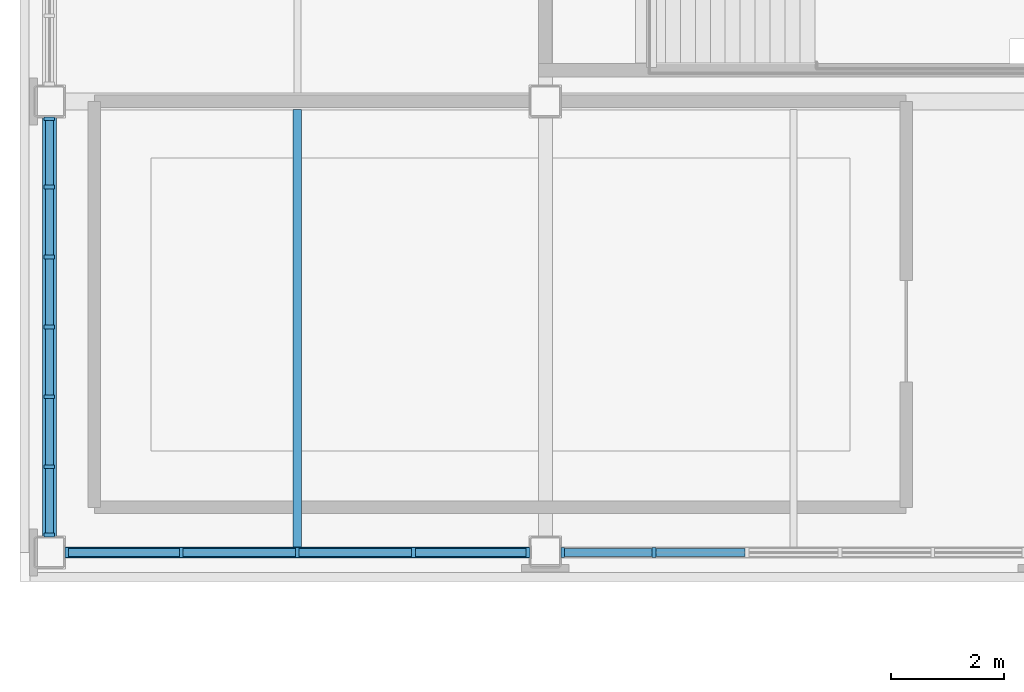
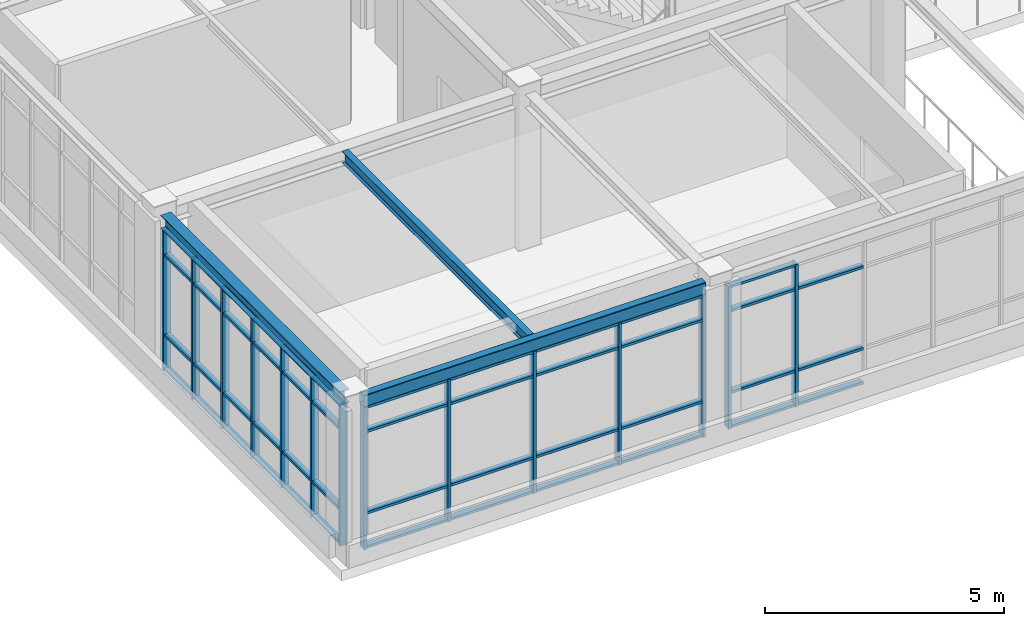
# One storey, part 13 of 88: 61 members, 3 beams, 3 elements without a shape of their own.
"""IFC4 building model written with IfcOpenShell, lengths in metres."""

from ifc_helpers import new_model, si_unit, direction, frame, origin, origin_2d, place, context, subcontext, project, spatial, rectangle, hollow_rectangle, i_section, extrude, material, material_profile, profile_set, type_object, element, aggregate, save


model = new_model("IFC4")

# Units and contexts
model_context = context("Model", 3, precision=1e-05, world=origin(), true_north=direction((0.0, 1.0)))
body_context = subcontext(model_context, "Body", "Model", "MODEL_VIEW")
ifc_project = project(units=[si_unit("LENGTHUNIT", "METRE"), si_unit("AREAUNIT", "SQUARE_METRE"), si_unit("VOLUMEUNIT", "CUBIC_METRE"), si_unit("PLANEANGLEUNIT", "RADIAN"), si_unit("MASSUNIT", "GRAM", prefix="KILO")], contexts=[model_context])

# Site, building, storey
site_placement = place(None, origin())
site = spatial("IfcSite", under=ifc_project, at=site_placement, CompositionType="ELEMENT")
building_placement = place(site_placement, origin())
building = spatial("IfcBuilding", under=site, at=building_placement, Name="Zhaolan Boulevard Law Courts", CompositionType="ELEMENT")
storey_placement = place(building_placement, frame((0.0, 0.0, 16.199951171875)))
storey = spatial("IfcBuildingStorey", under=building, at=storey_placement, Name="L03", CompositionType="ELEMENT", Elevation=16.199951171875)

# Curtain wall, members
ifc_material_1 = material(Name="Thermally broken aluminium and low-E glazing", Category="aluminium")
curtain_wall_type_1 = type_object("IfcCurtainWallType", Name="CURTAIN WALL M24", PredefinedType="USERDEFINED", material=ifc_material_1)
curtain_wall_1_placement = place(storey_placement, origin())
curtain_wall_1 = element("IfcCurtainWall", 1, at=curtain_wall_1_placement, inside=storey, type_object=curtain_wall_type_1, Name="Curtain Wall CW-L03-168", ObjectType="CURTAIN WALL", PredefinedType="USERDEFINED")
ifc_material_2 = material(Name="Fluorocarbon-coated aluminium 6063-T6", Category="aluminium")
ifc_material_profile_1 = material_profile(ifc_material_2, rectangle(XDim=0.179931640625, YDim=0.06494140625, at=origin_2d()), Name="AL65x180")
ifc_profile_set_1 = profile_set([ifc_material_profile_1], Name="Fluorocarbon-coated aluminium 6063-T6")
member_type_1 = type_object("IfcMemberType", Name="CWMULLION 65X180", PredefinedType="MULLION", material=ifc_profile_set_1)
member_1_placement = place(storey_placement, frame((0.3095703125, 30.0, 0.0), z_axis=(0.0, 0.0, 1.0), x_axis=(0.0, 1.0, 0.0)))
member_1 = element("IfcMember", 2, at=member_1_placement, type_object=member_type_1, Name="CW-L03-168 mullion 1", PredefinedType="MULLION", context=body_context, shape_type="SweptSolid", body=[
    extrude(rectangle(XDim=0.179931640625, YDim=0.06494140625, at=origin_2d()), origin(), (0.0, 0.0, 1.0), 3.633056640625),
])
member_2_placement = place(storey_placement, frame((2.33837890625, 30.0, 0.0), z_axis=(0.0, 0.0, 1.0), x_axis=(0.0, 1.0, 0.0)))
member_2 = element("IfcMember", 3, at=member_2_placement, type_object=member_type_1, Name="CW-L03-168 mullion 2", PredefinedType="MULLION", context=body_context, shape_type="SweptSolid", body=[
    extrude(rectangle(XDim=0.179931640625, YDim=0.06494140625, at=origin_2d()), origin(), (0.0, 0.0, 1.0), 3.633056640625),
])
member_3_placement = place(storey_placement, frame((4.39990234375, 30.0, 0.0), z_axis=(0.0, 0.0, 1.0), x_axis=(0.0, 1.0, 0.0)))
member_3 = element("IfcMember", 4, at=member_3_placement, type_object=member_type_1, Name="CW-L03-168 mullion 3", PredefinedType="MULLION", context=body_context, shape_type="SweptSolid", body=[
    extrude(rectangle(XDim=0.179931640625, YDim=0.06494140625, at=origin_2d()), origin(), (0.0, 0.0, 1.0), 3.633056640625),
])
member_4_placement = place(storey_placement, frame((6.46142578125, 30.0, 0.0), z_axis=(0.0, 0.0, 1.0), x_axis=(0.0, 1.0, 0.0)))
member_4 = element("IfcMember", 5, at=member_4_placement, type_object=member_type_1, Name="CW-L03-168 mullion 4", PredefinedType="MULLION", context=body_context, shape_type="SweptSolid", body=[
    extrude(rectangle(XDim=0.179931640625, YDim=0.06494140625, at=origin_2d()), origin(), (0.0, 0.0, 1.0), 3.633056640625),
])
member_5_placement = place(storey_placement, frame((8.490478515625, 30.0, 0.0), z_axis=(0.0, 0.0, 1.0), x_axis=(0.0, 1.0, 0.0)))
member_5 = element("IfcMember", 6, at=member_5_placement, type_object=member_type_1, Name="CW-L03-168 mullion 5", PredefinedType="MULLION", context=body_context, shape_type="SweptSolid", body=[
    extrude(rectangle(XDim=0.179931640625, YDim=0.06494140625, at=origin_2d()), origin(), (0.0, 0.0, 1.0), 3.633056640625),
])

ifc_material_3 = material(Name="Thermally broken aluminium and low-E glazing", Category="aluminium")
curtain_wall_type_2 = type_object("IfcCurtainWallType", Name="CURTAIN WALL M1", PredefinedType="USERDEFINED", material=ifc_material_3)
curtain_wall_2_placement = place(storey_placement, origin())
curtain_wall_2 = element("IfcCurtainWall", 7, at=curtain_wall_2_placement, inside=storey, type_object=curtain_wall_type_2, Name="Curtain Wall CW-L03-169", ObjectType="CURTAIN WALL", PredefinedType="USERDEFINED")
member_6_placement = place(storey_placement, frame((9.109619140625, 30.0, 0.0), z_axis=(0.0, 0.0, 1.0), x_axis=(0.0, 1.0, 0.0)))
member_6 = element("IfcMember", 8, at=member_6_placement, type_object=member_type_1, Name="CW-L03-169 mullion 1", PredefinedType="MULLION", context=body_context, shape_type="SweptSolid", body=[
    extrude(rectangle(XDim=0.179931640625, YDim=0.06494140625, at=origin_2d()), origin(), (0.0, 0.0, 1.0), 3.633056640625),
])
member_7_placement = place(storey_placement, frame((10.726318359375, 30.0, 0.0), z_axis=(0.0, 0.0, 1.0), x_axis=(0.0, 1.0, 0.0)))
member_7 = element("IfcMember", 9, at=member_7_placement, type_object=member_type_1, Name="CW-L03-169 mullion 2", PredefinedType="MULLION", context=body_context, shape_type="SweptSolid", body=[
    extrude(rectangle(XDim=0.179931640625, YDim=0.06494140625, at=origin_2d()), origin(), (0.0, 0.0, 1.0), 3.633056640625),
])

ifc_material_4 = material(Name="Thermally broken aluminium and low-E glazing", Category="aluminium")
curtain_wall_type_3 = type_object("IfcCurtainWallType", Name="CURTAIN WALL M5", PredefinedType="USERDEFINED", material=ifc_material_4)
curtain_wall_3_placement = place(storey_placement, origin())
curtain_wall_3 = element("IfcCurtainWall", 10, at=curtain_wall_3_placement, inside=storey, type_object=curtain_wall_type_3, Name="Curtain Wall CW-L03-173", ObjectType="CURTAIN WALL", PredefinedType="USERDEFINED")
member_8_placement = place(storey_placement, frame((0.0, 37.6904296875, 0.0), z_axis=(0.0, 0.0, 1.0), x_axis=(1.0, 0.0, 0.0)))
member_8 = element("IfcMember", 11, at=member_8_placement, type_object=member_type_1, Name="CW-L03-173 mullion 1", PredefinedType="MULLION", context=body_context, shape_type="SweptSolid", body=[
    extrude(rectangle(XDim=0.179931640625, YDim=0.06494140625, at=origin_2d()), origin(), (0.0, 0.0, 1.0), 3.593017578125),
])
member_9_placement = place(storey_placement, frame((0.0, 36.48193359375, 0.0), z_axis=(0.0, 0.0, 1.0), x_axis=(1.0, 0.0, 0.0)))
member_9 = element("IfcMember", 12, at=member_9_placement, type_object=member_type_1, Name="CW-L03-173 mullion 2", PredefinedType="MULLION", context=body_context, shape_type="SweptSolid", body=[
    extrude(rectangle(XDim=0.179931640625, YDim=0.06494140625, at=origin_2d()), origin(), (0.0, 0.0, 1.0), 3.593017578125),
])
member_10_placement = place(storey_placement, frame((0.0, 35.240966796875, 0.0), z_axis=(0.0, 0.0, 1.0), x_axis=(1.0, 0.0, 0.0)))
member_10 = element("IfcMember", 13, at=member_10_placement, type_object=member_type_1, Name="CW-L03-173 mullion 3", PredefinedType="MULLION", context=body_context, shape_type="SweptSolid", body=[
    extrude(rectangle(XDim=0.179931640625, YDim=0.06494140625, at=origin_2d()), origin(), (0.0, 0.0, 1.0), 3.593017578125),
])
member_11_placement = place(storey_placement, frame((0.0, 34.0, 0.0), z_axis=(0.0, 0.0, 1.0), x_axis=(1.0, 0.0, 0.0)))
member_11 = element("IfcMember", 14, at=member_11_placement, type_object=member_type_1, Name="CW-L03-173 mullion 4", PredefinedType="MULLION", context=body_context, shape_type="SweptSolid", body=[
    extrude(rectangle(XDim=0.179931640625, YDim=0.06494140625, at=origin_2d()), origin(), (0.0, 0.0, 1.0), 3.593017578125),
])
member_12_placement = place(storey_placement, frame((0.0, 32.759033203125, 0.0), z_axis=(0.0, 0.0, 1.0), x_axis=(1.0, 0.0, 0.0)))
member_12 = element("IfcMember", 15, at=member_12_placement, type_object=member_type_1, Name="CW-L03-173 mullion 5", PredefinedType="MULLION", context=body_context, shape_type="SweptSolid", body=[
    extrude(rectangle(XDim=0.179931640625, YDim=0.06494140625, at=origin_2d()), origin(), (0.0, 0.0, 1.0), 3.593017578125),
])
member_13_placement = place(storey_placement, frame((0.0, 31.51806640625, 0.0), z_axis=(0.0, 0.0, 1.0), x_axis=(1.0, 0.0, 0.0)))
member_13 = element("IfcMember", 16, at=member_13_placement, type_object=member_type_1, Name="CW-L03-173 mullion 6", PredefinedType="MULLION", context=body_context, shape_type="SweptSolid", body=[
    extrude(rectangle(XDim=0.179931640625, YDim=0.06494140625, at=origin_2d()), origin(), (0.0, 0.0, 1.0), 3.593017578125),
])
member_14_placement = place(storey_placement, frame((0.0, 30.3095703125, 0.0), z_axis=(0.0, 0.0, 1.0), x_axis=(1.0, 0.0, 0.0)))
member_14 = element("IfcMember", 17, at=member_14_placement, type_object=member_type_1, Name="CW-L03-173 mullion 7", PredefinedType="MULLION", context=body_context, shape_type="SweptSolid", body=[
    extrude(rectangle(XDim=0.179931640625, YDim=0.06494140625, at=origin_2d()), origin(), (0.0, 0.0, 1.0), 3.593017578125),
])

# Member
ifc_material_5 = material(Name="Fluorocarbon-coated aluminium 6063-T6", Category="aluminium")
ifc_material_profile_2 = material_profile(ifc_material_5, rectangle(XDim=0.139892578125, YDim=0.06494140625, at=origin_2d()), Name="AL65x140")
ifc_profile_set_2 = profile_set([ifc_material_profile_2], Name="Fluorocarbon-coated aluminium 6063-T6")
member_type_2 = type_object("IfcMemberType", Name="CWTRANSOM 65X140", PredefinedType="USERDEFINED", material=ifc_profile_set_2)
member_15_placement = place(storey_placement, frame((0.342041015625, 30.0, 0.032470703125), z_axis=(1.0, 0.0, 0.0), x_axis=(0.0, 1.0, 0.0)))
member_15 = element("IfcMember", 18, at=member_15_placement, type_object=member_type_2, Name="CW-L03-168 transom 1.1", ObjectType="TRANSOM", PredefinedType="USERDEFINED", context=body_context, shape_type="SweptSolid", body=[
    extrude(rectangle(XDim=0.139892578125, YDim=0.06494140625, at=origin_2d()), origin(), (0.0, 0.0, 1.0), 1.9638671875),
])

member_16_placement = place(storey_placement, frame((0.342041015625, 30.0, 0.900146484375), z_axis=(1.0, 0.0, 0.0), x_axis=(0.0, 1.0, 0.0)))
member_16 = element("IfcMember", 19, at=member_16_placement, type_object=member_type_2, Name="CW-L03-168 transom 1.2", ObjectType="TRANSOM", PredefinedType="USERDEFINED", context=body_context, shape_type="SweptSolid", body=[
    extrude(rectangle(XDim=0.139892578125, YDim=0.06494140625, at=origin_2d()), origin(), (0.0, 0.0, 1.0), 1.9638671875),
])

member_17_placement = place(storey_placement, frame((0.342041015625, 30.0, 2.983154296875), z_axis=(1.0, 0.0, 0.0), x_axis=(0.0, 1.0, 0.0)))
member_17 = element("IfcMember", 20, at=member_17_placement, type_object=member_type_2, Name="CW-L03-168 transom 1.3", ObjectType="TRANSOM", PredefinedType="USERDEFINED", context=body_context, shape_type="SweptSolid", body=[
    extrude(rectangle(XDim=0.139892578125, YDim=0.06494140625, at=origin_2d()), origin(), (0.0, 0.0, 1.0), 1.9638671875),
])

member_18_placement = place(storey_placement, frame((0.342041015625, 30.0, 3.6005859375), z_axis=(1.0, 0.0, 0.0), x_axis=(0.0, 1.0, 0.0)))
member_18 = element("IfcMember", 21, at=member_18_placement, type_object=member_type_2, Name="CW-L03-168 transom 1.4", ObjectType="TRANSOM", PredefinedType="USERDEFINED", context=body_context, shape_type="SweptSolid", body=[
    extrude(rectangle(XDim=0.139892578125, YDim=0.06494140625, at=origin_2d()), origin(), (0.0, 0.0, 1.0), 1.9638671875),
])

member_19_placement = place(storey_placement, frame((2.37109375, 30.0, 0.032470703125), z_axis=(1.0, 0.0, 0.0), x_axis=(0.0, 1.0, 0.0)))
member_19 = element("IfcMember", 22, at=member_19_placement, type_object=member_type_2, Name="CW-L03-168 transom 2.1", ObjectType="TRANSOM", PredefinedType="USERDEFINED", context=body_context, shape_type="SweptSolid", body=[
    extrude(rectangle(XDim=0.139892578125, YDim=0.06494140625, at=origin_2d()), origin(), (0.0, 0.0, 1.0), 1.996337890625),
])

member_20_placement = place(storey_placement, frame((2.37109375, 30.0, 0.900146484375), z_axis=(1.0, 0.0, 0.0), x_axis=(0.0, 1.0, 0.0)))
member_20 = element("IfcMember", 23, at=member_20_placement, type_object=member_type_2, Name="CW-L03-168 transom 2.2", ObjectType="TRANSOM", PredefinedType="USERDEFINED", context=body_context, shape_type="SweptSolid", body=[
    extrude(rectangle(XDim=0.139892578125, YDim=0.06494140625, at=origin_2d()), origin(), (0.0, 0.0, 1.0), 1.996337890625),
])

member_21_placement = place(storey_placement, frame((2.37109375, 30.0, 2.983154296875), z_axis=(1.0, 0.0, 0.0), x_axis=(0.0, 1.0, 0.0)))
member_21 = element("IfcMember", 24, at=member_21_placement, type_object=member_type_2, Name="CW-L03-168 transom 2.3", ObjectType="TRANSOM", PredefinedType="USERDEFINED", context=body_context, shape_type="SweptSolid", body=[
    extrude(rectangle(XDim=0.139892578125, YDim=0.06494140625, at=origin_2d()), origin(), (0.0, 0.0, 1.0), 1.996337890625),
])

member_22_placement = place(storey_placement, frame((2.37109375, 30.0, 3.6005859375), z_axis=(1.0, 0.0, 0.0), x_axis=(0.0, 1.0, 0.0)))
member_22 = element("IfcMember", 25, at=member_22_placement, type_object=member_type_2, Name="CW-L03-168 transom 2.4", ObjectType="TRANSOM", PredefinedType="USERDEFINED", context=body_context, shape_type="SweptSolid", body=[
    extrude(rectangle(XDim=0.139892578125, YDim=0.06494140625, at=origin_2d()), origin(), (0.0, 0.0, 1.0), 1.996337890625),
])

member_23_placement = place(storey_placement, frame((4.4326171875, 30.0, 0.032470703125), z_axis=(1.0, 0.0, 0.0), x_axis=(0.0, 1.0, 0.0)))
member_23 = element("IfcMember", 26, at=member_23_placement, type_object=member_type_2, Name="CW-L03-168 transom 3.1", ObjectType="TRANSOM", PredefinedType="USERDEFINED", context=body_context, shape_type="SweptSolid", body=[
    extrude(rectangle(XDim=0.139892578125, YDim=0.06494140625, at=origin_2d()), origin(), (0.0, 0.0, 1.0), 1.996337890625),
])

member_24_placement = place(storey_placement, frame((4.4326171875, 30.0, 0.900146484375), z_axis=(1.0, 0.0, 0.0), x_axis=(0.0, 1.0, 0.0)))
member_24 = element("IfcMember", 27, at=member_24_placement, type_object=member_type_2, Name="CW-L03-168 transom 3.2", ObjectType="TRANSOM", PredefinedType="USERDEFINED", context=body_context, shape_type="SweptSolid", body=[
    extrude(rectangle(XDim=0.139892578125, YDim=0.06494140625, at=origin_2d()), origin(), (0.0, 0.0, 1.0), 1.996337890625),
])

member_25_placement = place(storey_placement, frame((4.4326171875, 30.0, 2.983154296875), z_axis=(1.0, 0.0, 0.0), x_axis=(0.0, 1.0, 0.0)))
member_25 = element("IfcMember", 28, at=member_25_placement, type_object=member_type_2, Name="CW-L03-168 transom 3.3", ObjectType="TRANSOM", PredefinedType="USERDEFINED", context=body_context, shape_type="SweptSolid", body=[
    extrude(rectangle(XDim=0.139892578125, YDim=0.06494140625, at=origin_2d()), origin(), (0.0, 0.0, 1.0), 1.996337890625),
])

member_26_placement = place(storey_placement, frame((4.4326171875, 30.0, 3.6005859375), z_axis=(1.0, 0.0, 0.0), x_axis=(0.0, 1.0, 0.0)))
member_26 = element("IfcMember", 29, at=member_26_placement, type_object=member_type_2, Name="CW-L03-168 transom 3.4", ObjectType="TRANSOM", PredefinedType="USERDEFINED", context=body_context, shape_type="SweptSolid", body=[
    extrude(rectangle(XDim=0.139892578125, YDim=0.06494140625, at=origin_2d()), origin(), (0.0, 0.0, 1.0), 1.996337890625),
])

member_27_placement = place(storey_placement, frame((6.493896484375, 30.0, 0.032470703125), z_axis=(1.0, 0.0, 0.0), x_axis=(0.0, 1.0, 0.0)))
member_27 = element("IfcMember", 30, at=member_27_placement, type_object=member_type_2, Name="CW-L03-168 transom 4.1", ObjectType="TRANSOM", PredefinedType="USERDEFINED", context=body_context, shape_type="SweptSolid", body=[
    extrude(rectangle(XDim=0.139892578125, YDim=0.06494140625, at=origin_2d()), origin(), (0.0, 0.0, 1.0), 1.964111328125),
])

member_28_placement = place(storey_placement, frame((6.493896484375, 30.0, 0.900146484375), z_axis=(1.0, 0.0, 0.0), x_axis=(0.0, 1.0, 0.0)))
member_28 = element("IfcMember", 31, at=member_28_placement, type_object=member_type_2, Name="CW-L03-168 transom 4.2", ObjectType="TRANSOM", PredefinedType="USERDEFINED", context=body_context, shape_type="SweptSolid", body=[
    extrude(rectangle(XDim=0.139892578125, YDim=0.06494140625, at=origin_2d()), origin(), (0.0, 0.0, 1.0), 1.964111328125),
])

member_29_placement = place(storey_placement, frame((6.493896484375, 30.0, 2.983154296875), z_axis=(1.0, 0.0, 0.0), x_axis=(0.0, 1.0, 0.0)))
member_29 = element("IfcMember", 32, at=member_29_placement, type_object=member_type_2, Name="CW-L03-168 transom 4.3", ObjectType="TRANSOM", PredefinedType="USERDEFINED", context=body_context, shape_type="SweptSolid", body=[
    extrude(rectangle(XDim=0.139892578125, YDim=0.06494140625, at=origin_2d()), origin(), (0.0, 0.0, 1.0), 1.964111328125),
])

member_30_placement = place(storey_placement, frame((6.493896484375, 30.0, 3.6005859375), z_axis=(1.0, 0.0, 0.0), x_axis=(0.0, 1.0, 0.0)))
member_30 = element("IfcMember", 33, at=member_30_placement, type_object=member_type_2, Name="CW-L03-168 transom 4.4", ObjectType="TRANSOM", PredefinedType="USERDEFINED", context=body_context, shape_type="SweptSolid", body=[
    extrude(rectangle(XDim=0.139892578125, YDim=0.06494140625, at=origin_2d()), origin(), (0.0, 0.0, 1.0), 1.964111328125),
])

aggregate(curtain_wall_1, [member_1, member_2, member_3, member_4, member_5, member_15, member_16, member_17, member_18, member_19, member_20, member_21, member_22, member_23, member_24, member_25, member_26, member_27, member_28, member_29, member_30])

member_31_placement = place(storey_placement, frame((9.14208984375, 30.0, 0.032470703125), z_axis=(1.0, 0.0, 0.0), x_axis=(0.0, 1.0, 0.0)))
member_31 = element("IfcMember", 34, at=member_31_placement, type_object=member_type_2, Name="CW-L03-169 transom 1.1", ObjectType="TRANSOM", PredefinedType="USERDEFINED", context=body_context, shape_type="SweptSolid", body=[
    extrude(rectangle(XDim=0.139892578125, YDim=0.06494140625, at=origin_2d()), origin(), (0.0, 0.0, 1.0), 1.551513671875),
])

member_32_placement = place(storey_placement, frame((9.14208984375, 30.0, 0.900146484375), z_axis=(1.0, 0.0, 0.0), x_axis=(0.0, 1.0, 0.0)))
member_32 = element("IfcMember", 35, at=member_32_placement, type_object=member_type_2, Name="CW-L03-169 transom 1.2", ObjectType="TRANSOM", PredefinedType="USERDEFINED", context=body_context, shape_type="SweptSolid", body=[
    extrude(rectangle(XDim=0.139892578125, YDim=0.06494140625, at=origin_2d()), origin(), (0.0, 0.0, 1.0), 1.551513671875),
])

member_33_placement = place(storey_placement, frame((9.14208984375, 30.0, 2.983154296875), z_axis=(1.0, 0.0, 0.0), x_axis=(0.0, 1.0, 0.0)))
member_33 = element("IfcMember", 36, at=member_33_placement, type_object=member_type_2, Name="CW-L03-169 transom 1.3", ObjectType="TRANSOM", PredefinedType="USERDEFINED", context=body_context, shape_type="SweptSolid", body=[
    extrude(rectangle(XDim=0.139892578125, YDim=0.06494140625, at=origin_2d()), origin(), (0.0, 0.0, 1.0), 1.551513671875),
])

member_34_placement = place(storey_placement, frame((9.14208984375, 30.0, 3.6005859375), z_axis=(1.0, 0.0, 0.0), x_axis=(0.0, 1.0, 0.0)))
member_34 = element("IfcMember", 37, at=member_34_placement, type_object=member_type_2, Name="CW-L03-169 transom 1.4", ObjectType="TRANSOM", PredefinedType="USERDEFINED", context=body_context, shape_type="SweptSolid", body=[
    extrude(rectangle(XDim=0.139892578125, YDim=0.06494140625, at=origin_2d()), origin(), (0.0, 0.0, 1.0), 1.551513671875),
])

member_35_placement = place(storey_placement, frame((10.7587890625, 30.0, 0.032470703125), z_axis=(1.0, 0.0, 0.0), x_axis=(0.0, 1.0, 0.0)))
member_35 = element("IfcMember", 38, at=member_35_placement, type_object=member_type_2, Name="CW-L03-169 transom 2.1", ObjectType="TRANSOM", PredefinedType="USERDEFINED", context=body_context, shape_type="SweptSolid", body=[
    extrude(rectangle(XDim=0.139892578125, YDim=0.06494140625, at=origin_2d()), origin(), (0.0, 0.0, 1.0), 1.584228515625),
])

member_36_placement = place(storey_placement, frame((10.7587890625, 30.0, 0.900146484375), z_axis=(1.0, 0.0, 0.0), x_axis=(0.0, 1.0, 0.0)))
member_36 = element("IfcMember", 39, at=member_36_placement, type_object=member_type_2, Name="CW-L03-169 transom 2.2", ObjectType="TRANSOM", PredefinedType="USERDEFINED", context=body_context, shape_type="SweptSolid", body=[
    extrude(rectangle(XDim=0.139892578125, YDim=0.06494140625, at=origin_2d()), origin(), (0.0, 0.0, 1.0), 1.584228515625),
])

member_37_placement = place(storey_placement, frame((10.7587890625, 30.0, 2.983154296875), z_axis=(1.0, 0.0, 0.0), x_axis=(0.0, 1.0, 0.0)))
member_37 = element("IfcMember", 40, at=member_37_placement, type_object=member_type_2, Name="CW-L03-169 transom 2.3", ObjectType="TRANSOM", PredefinedType="USERDEFINED", context=body_context, shape_type="SweptSolid", body=[
    extrude(rectangle(XDim=0.139892578125, YDim=0.06494140625, at=origin_2d()), origin(), (0.0, 0.0, 1.0), 1.584228515625),
])

aggregate(curtain_wall_2, [member_6, member_7, member_31, member_32, member_33, member_34, member_35, member_36, member_37])

member_38_placement = place(storey_placement, frame((0.0, 37.657958984375, 0.032470703125), z_axis=(0.0, -1.0, 0.0), x_axis=(1.0, 0.0, 0.0)))
member_38 = element("IfcMember", 41, at=member_38_placement, type_object=member_type_2, Name="CW-L03-173 transom 1.1", ObjectType="TRANSOM", PredefinedType="USERDEFINED", context=body_context, shape_type="SweptSolid", body=[
    extrude(rectangle(XDim=0.139892578125, YDim=0.06494140625, at=origin_2d()), origin(), (0.0, 0.0, 1.0), 1.1435546875),
])

member_39_placement = place(storey_placement, frame((0.0, 37.657958984375, 0.900146484375), z_axis=(0.0, -1.0, 0.0), x_axis=(1.0, 0.0, 0.0)))
member_39 = element("IfcMember", 42, at=member_39_placement, type_object=member_type_2, Name="CW-L03-173 transom 1.2", ObjectType="TRANSOM", PredefinedType="USERDEFINED", context=body_context, shape_type="SweptSolid", body=[
    extrude(rectangle(XDim=0.139892578125, YDim=0.06494140625, at=origin_2d()), origin(), (0.0, 0.0, 1.0), 1.1435546875),
])

member_40_placement = place(storey_placement, frame((0.0, 37.657958984375, 2.943115234375), z_axis=(0.0, -1.0, 0.0), x_axis=(1.0, 0.0, 0.0)))
member_40 = element("IfcMember", 43, at=member_40_placement, type_object=member_type_2, Name="CW-L03-173 transom 1.3", ObjectType="TRANSOM", PredefinedType="USERDEFINED", context=body_context, shape_type="SweptSolid", body=[
    extrude(rectangle(XDim=0.139892578125, YDim=0.06494140625, at=origin_2d()), origin(), (0.0, 0.0, 1.0), 1.1435546875),
])

member_41_placement = place(storey_placement, frame((0.0, 37.657958984375, 3.560546875), z_axis=(0.0, -1.0, 0.0), x_axis=(1.0, 0.0, 0.0)))
member_41 = element("IfcMember", 44, at=member_41_placement, type_object=member_type_2, Name="CW-L03-173 transom 1.4", ObjectType="TRANSOM", PredefinedType="USERDEFINED", context=body_context, shape_type="SweptSolid", body=[
    extrude(rectangle(XDim=0.139892578125, YDim=0.06494140625, at=origin_2d()), origin(), (0.0, 0.0, 1.0), 1.1435546875),
])

member_42_placement = place(storey_placement, frame((0.0, 36.449462890625, 0.032470703125), z_axis=(0.0, -1.0, 0.0), x_axis=(1.0, 0.0, 0.0)))
member_42 = element("IfcMember", 45, at=member_42_placement, type_object=member_type_2, Name="CW-L03-173 transom 2.1", ObjectType="TRANSOM", PredefinedType="USERDEFINED", context=body_context, shape_type="SweptSolid", body=[
    extrude(rectangle(XDim=0.139892578125, YDim=0.06494140625, at=origin_2d()), origin(), (0.0, 0.0, 1.0), 1.176025390625),
])

member_43_placement = place(storey_placement, frame((0.0, 36.449462890625, 0.900146484375), z_axis=(0.0, -1.0, 0.0), x_axis=(1.0, 0.0, 0.0)))
member_43 = element("IfcMember", 46, at=member_43_placement, type_object=member_type_2, Name="CW-L03-173 transom 2.2", ObjectType="TRANSOM", PredefinedType="USERDEFINED", context=body_context, shape_type="SweptSolid", body=[
    extrude(rectangle(XDim=0.139892578125, YDim=0.06494140625, at=origin_2d()), origin(), (0.0, 0.0, 1.0), 1.176025390625),
])

member_44_placement = place(storey_placement, frame((0.0, 36.449462890625, 2.943115234375), z_axis=(0.0, -1.0, 0.0), x_axis=(1.0, 0.0, 0.0)))
member_44 = element("IfcMember", 47, at=member_44_placement, type_object=member_type_2, Name="CW-L03-173 transom 2.3", ObjectType="TRANSOM", PredefinedType="USERDEFINED", context=body_context, shape_type="SweptSolid", body=[
    extrude(rectangle(XDim=0.139892578125, YDim=0.06494140625, at=origin_2d()), origin(), (0.0, 0.0, 1.0), 1.176025390625),
])

member_45_placement = place(storey_placement, frame((0.0, 36.449462890625, 3.560546875), z_axis=(0.0, -1.0, 0.0), x_axis=(1.0, 0.0, 0.0)))
member_45 = element("IfcMember", 48, at=member_45_placement, type_object=member_type_2, Name="CW-L03-173 transom 2.4", ObjectType="TRANSOM", PredefinedType="USERDEFINED", context=body_context, shape_type="SweptSolid", body=[
    extrude(rectangle(XDim=0.139892578125, YDim=0.06494140625, at=origin_2d()), origin(), (0.0, 0.0, 1.0), 1.176025390625),
])

member_46_placement = place(storey_placement, frame((0.0, 35.20849609375, 0.032470703125), z_axis=(0.0, -1.0, 0.0), x_axis=(1.0, 0.0, 0.0)))
member_46 = element("IfcMember", 49, at=member_46_placement, type_object=member_type_2, Name="CW-L03-173 transom 3.1", ObjectType="TRANSOM", PredefinedType="USERDEFINED", context=body_context, shape_type="SweptSolid", body=[
    extrude(rectangle(XDim=0.139892578125, YDim=0.06494140625, at=origin_2d()), origin(), (0.0, 0.0, 1.0), 1.176025390625),
])

member_47_placement = place(storey_placement, frame((0.0, 35.20849609375, 0.900146484375), z_axis=(0.0, -1.0, 0.0), x_axis=(1.0, 0.0, 0.0)))
member_47 = element("IfcMember", 50, at=member_47_placement, type_object=member_type_2, Name="CW-L03-173 transom 3.2", ObjectType="TRANSOM", PredefinedType="USERDEFINED", context=body_context, shape_type="SweptSolid", body=[
    extrude(rectangle(XDim=0.139892578125, YDim=0.06494140625, at=origin_2d()), origin(), (0.0, 0.0, 1.0), 1.176025390625),
])

member_48_placement = place(storey_placement, frame((0.0, 35.20849609375, 2.943115234375), z_axis=(0.0, -1.0, 0.0), x_axis=(1.0, 0.0, 0.0)))
member_48 = element("IfcMember", 51, at=member_48_placement, type_object=member_type_2, Name="CW-L03-173 transom 3.3", ObjectType="TRANSOM", PredefinedType="USERDEFINED", context=body_context, shape_type="SweptSolid", body=[
    extrude(rectangle(XDim=0.139892578125, YDim=0.06494140625, at=origin_2d()), origin(), (0.0, 0.0, 1.0), 1.176025390625),
])

member_49_placement = place(storey_placement, frame((0.0, 35.20849609375, 3.560546875), z_axis=(0.0, -1.0, 0.0), x_axis=(1.0, 0.0, 0.0)))
member_49 = element("IfcMember", 52, at=member_49_placement, type_object=member_type_2, Name="CW-L03-173 transom 3.4", ObjectType="TRANSOM", PredefinedType="USERDEFINED", context=body_context, shape_type="SweptSolid", body=[
    extrude(rectangle(XDim=0.139892578125, YDim=0.06494140625, at=origin_2d()), origin(), (0.0, 0.0, 1.0), 1.176025390625),
])

member_50_placement = place(storey_placement, frame((0.0, 33.967529296875, 0.032470703125), z_axis=(0.0, -1.0, 0.0), x_axis=(1.0, 0.0, 0.0)))
member_50 = element("IfcMember", 53, at=member_50_placement, type_object=member_type_2, Name="CW-L03-173 transom 4.1", ObjectType="TRANSOM", PredefinedType="USERDEFINED", context=body_context, shape_type="SweptSolid", body=[
    extrude(rectangle(XDim=0.139892578125, YDim=0.06494140625, at=origin_2d()), origin(), (0.0, 0.0, 1.0), 1.176025390625),
])

member_51_placement = place(storey_placement, frame((0.0, 33.967529296875, 0.900146484375), z_axis=(0.0, -1.0, 0.0), x_axis=(1.0, 0.0, 0.0)))
member_51 = element("IfcMember", 54, at=member_51_placement, type_object=member_type_2, Name="CW-L03-173 transom 4.2", ObjectType="TRANSOM", PredefinedType="USERDEFINED", context=body_context, shape_type="SweptSolid", body=[
    extrude(rectangle(XDim=0.139892578125, YDim=0.06494140625, at=origin_2d()), origin(), (0.0, 0.0, 1.0), 1.176025390625),
])

member_52_placement = place(storey_placement, frame((0.0, 33.967529296875, 2.943115234375), z_axis=(0.0, -1.0, 0.0), x_axis=(1.0, 0.0, 0.0)))
member_52 = element("IfcMember", 55, at=member_52_placement, type_object=member_type_2, Name="CW-L03-173 transom 4.3", ObjectType="TRANSOM", PredefinedType="USERDEFINED", context=body_context, shape_type="SweptSolid", body=[
    extrude(rectangle(XDim=0.139892578125, YDim=0.06494140625, at=origin_2d()), origin(), (0.0, 0.0, 1.0), 1.176025390625),
])

member_53_placement = place(storey_placement, frame((0.0, 33.967529296875, 3.560546875), z_axis=(0.0, -1.0, 0.0), x_axis=(1.0, 0.0, 0.0)))
member_53 = element("IfcMember", 56, at=member_53_placement, type_object=member_type_2, Name="CW-L03-173 transom 4.4", ObjectType="TRANSOM", PredefinedType="USERDEFINED", context=body_context, shape_type="SweptSolid", body=[
    extrude(rectangle(XDim=0.139892578125, YDim=0.06494140625, at=origin_2d()), origin(), (0.0, 0.0, 1.0), 1.176025390625),
])

member_54_placement = place(storey_placement, frame((0.0, 32.7265625, 0.032470703125), z_axis=(0.0, -1.0, 0.0), x_axis=(1.0, 0.0, 0.0)))
member_54 = element("IfcMember", 57, at=member_54_placement, type_object=member_type_2, Name="CW-L03-173 transom 5.1", ObjectType="TRANSOM", PredefinedType="USERDEFINED", context=body_context, shape_type="SweptSolid", body=[
    extrude(rectangle(XDim=0.139892578125, YDim=0.06494140625, at=origin_2d()), origin(), (0.0, 0.0, 1.0), 1.176025390625),
])

member_55_placement = place(storey_placement, frame((0.0, 32.7265625, 0.900146484375), z_axis=(0.0, -1.0, 0.0), x_axis=(1.0, 0.0, 0.0)))
member_55 = element("IfcMember", 58, at=member_55_placement, type_object=member_type_2, Name="CW-L03-173 transom 5.2", ObjectType="TRANSOM", PredefinedType="USERDEFINED", context=body_context, shape_type="SweptSolid", body=[
    extrude(rectangle(XDim=0.139892578125, YDim=0.06494140625, at=origin_2d()), origin(), (0.0, 0.0, 1.0), 1.176025390625),
])

member_56_placement = place(storey_placement, frame((0.0, 32.7265625, 2.943115234375), z_axis=(0.0, -1.0, 0.0), x_axis=(1.0, 0.0, 0.0)))
member_56 = element("IfcMember", 59, at=member_56_placement, type_object=member_type_2, Name="CW-L03-173 transom 5.3", ObjectType="TRANSOM", PredefinedType="USERDEFINED", context=body_context, shape_type="SweptSolid", body=[
    extrude(rectangle(XDim=0.139892578125, YDim=0.06494140625, at=origin_2d()), origin(), (0.0, 0.0, 1.0), 1.176025390625),
])

member_57_placement = place(storey_placement, frame((0.0, 32.7265625, 3.560546875), z_axis=(0.0, -1.0, 0.0), x_axis=(1.0, 0.0, 0.0)))
member_57 = element("IfcMember", 60, at=member_57_placement, type_object=member_type_2, Name="CW-L03-173 transom 5.4", ObjectType="TRANSOM", PredefinedType="USERDEFINED", context=body_context, shape_type="SweptSolid", body=[
    extrude(rectangle(XDim=0.139892578125, YDim=0.06494140625, at=origin_2d()), origin(), (0.0, 0.0, 1.0), 1.176025390625),
])

member_58_placement = place(storey_placement, frame((0.0, 31.485595703125, 0.032470703125), z_axis=(0.0, -1.0, 0.0), x_axis=(1.0, 0.0, 0.0)))
member_58 = element("IfcMember", 61, at=member_58_placement, type_object=member_type_2, Name="CW-L03-173 transom 6.1", ObjectType="TRANSOM", PredefinedType="USERDEFINED", context=body_context, shape_type="SweptSolid", body=[
    extrude(rectangle(XDim=0.139892578125, YDim=0.06494140625, at=origin_2d()), origin(), (0.0, 0.0, 1.0), 1.1435546875),
])

member_59_placement = place(storey_placement, frame((0.0, 31.485595703125, 0.900146484375), z_axis=(0.0, -1.0, 0.0), x_axis=(1.0, 0.0, 0.0)))
member_59 = element("IfcMember", 62, at=member_59_placement, type_object=member_type_2, Name="CW-L03-173 transom 6.2", ObjectType="TRANSOM", PredefinedType="USERDEFINED", context=body_context, shape_type="SweptSolid", body=[
    extrude(rectangle(XDim=0.139892578125, YDim=0.06494140625, at=origin_2d()), origin(), (0.0, 0.0, 1.0), 1.1435546875),
])

member_60_placement = place(storey_placement, frame((0.0, 31.485595703125, 2.943115234375), z_axis=(0.0, -1.0, 0.0), x_axis=(1.0, 0.0, 0.0)))
member_60 = element("IfcMember", 63, at=member_60_placement, type_object=member_type_2, Name="CW-L03-173 transom 6.3", ObjectType="TRANSOM", PredefinedType="USERDEFINED", context=body_context, shape_type="SweptSolid", body=[
    extrude(rectangle(XDim=0.139892578125, YDim=0.06494140625, at=origin_2d()), origin(), (0.0, 0.0, 1.0), 1.1435546875),
])

member_61_placement = place(storey_placement, frame((0.0, 31.485595703125, 3.560546875), z_axis=(0.0, -1.0, 0.0), x_axis=(1.0, 0.0, 0.0)))
member_61 = element("IfcMember", 64, at=member_61_placement, type_object=member_type_2, Name="CW-L03-173 transom 6.4", ObjectType="TRANSOM", PredefinedType="USERDEFINED", context=body_context, shape_type="SweptSolid", body=[
    extrude(rectangle(XDim=0.139892578125, YDim=0.06494140625, at=origin_2d()), origin(), (0.0, 0.0, 1.0), 1.1435546875),
])

aggregate(curtain_wall_3, [member_8, member_9, member_10, member_11, member_12, member_13, member_14, member_38, member_39, member_40, member_41, member_42, member_43, member_44, member_45, member_46, member_47, member_48, member_49, member_50, member_51, member_52, member_53, member_54, member_55, member_56, member_57, member_58, member_59, member_60, member_61])

# Beams
ifc_material_6 = material(Name="Structural steel Q355B", Category="steel")
ifc_material_profile_3 = material_profile(ifc_material_6, i_section(OverallWidth=0.25, OverallDepth=0.340087890625, WebThickness=0.009033203125, FlangeThickness=0.013916015625, FilletRadius=0.01611328125, at=origin_2d()), Name="HM340x250")
ifc_profile_set_3 = profile_set([ifc_material_profile_3], Name="Structural steel Q355B")
beam_type_1 = type_object("IfcBeamType", Name="GIRDER HM340", PredefinedType="BEAM", material=ifc_profile_set_3)
beam_1_placement = place(storey_placement, frame((0.0, 30.27099609375, 3.778076171875), z_axis=(0.0, 1.0, 0.0), x_axis=(-1.0, 0.0, 0.0)))
element("IfcBeam", 65, at=beam_1_placement, inside=storey, type_object=beam_type_1, Name="Beam BY-L04-1-E-F", PredefinedType="BEAM", context=body_context, shape_type="SweptSolid", body=[
    extrude(i_section(OverallWidth=0.25, OverallDepth=0.340087890625, WebThickness=0.009033203125, FlangeThickness=0.013916015625, FilletRadius=0.01611328125, at=origin_2d()), origin(), (0.0, 0.0, 1.0), 7.4580078125),
])
ifc_material_7 = material(Name="Structural steel Q355B", Category="steel")
ifc_material_profile_4 = material_profile(ifc_material_7, i_section(OverallWidth=0.14990234375, OverallDepth=0.300048828125, WebThickness=0.006591796875, FlangeThickness=0.009033203125, FilletRadius=0.010986328125, at=origin_2d()), Name="HN300x150")
ifc_profile_set_4 = profile_set([ifc_material_profile_4], Name="Structural steel Q355B")
beam_type_2 = type_object("IfcBeamType", Name="JOIST HN300", PredefinedType="JOIST", material=ifc_profile_set_4)
beam_2_placement = place(storey_placement, frame((4.39990234375, 30.095947265625, 3.798095703125), z_axis=(0.0, 1.0, 0.0), x_axis=(-1.0, 0.0, 0.0)))
element("IfcBeam", 66, at=beam_2_placement, inside=storey, type_object=beam_type_2, Name="Composite Joist J-L04-1E", PredefinedType="JOIST", context=body_context, shape_type="SweptSolid", body=[
    extrude(i_section(OverallWidth=0.14990234375, OverallDepth=0.300048828125, WebThickness=0.006591796875, FlangeThickness=0.009033203125, FilletRadius=0.010986328125, at=origin_2d()), origin(), (0.0, 0.0, 1.0), 7.758056640625),
])
ifc_material_8 = material(Name="Structural steel Q355B", Category="steel")
ifc_material_profile_5 = material_profile(ifc_material_8, hollow_rectangle(XDim=0.199951171875, YDim=0.300048828125, WallThickness=0.011962890625, InnerFilletRadius=0.011962890625, OuterFilletRadius=0.02392578125, at=origin_2d()), Name="HSS300x200x12")
ifc_profile_set_5 = profile_set([ifc_material_profile_5], Name="Structural steel Q355B")
beam_type_3 = type_object("IfcBeamType", Name="SPANDREL HSS300", PredefinedType="SPANDREL", material=ifc_profile_set_5)
beam_3_placement = place(storey_placement, frame((0.27099609375, 30.0, 3.798095703125), z_axis=(1.0, 0.0, 0.0), x_axis=(0.0, 1.0, 0.0)))
element("IfcBeam", 67, at=beam_3_placement, inside=storey, type_object=beam_type_3, Name="Beam BX-L04-1-2-E", PredefinedType="SPANDREL", context=body_context, shape_type="SweptSolid", body=[
    extrude(hollow_rectangle(XDim=0.199951171875, YDim=0.300048828125, WallThickness=0.011962890625, InnerFilletRadius=0.011962890625, OuterFilletRadius=0.02392578125, at=origin_2d()), origin(), (0.0, 0.0, 1.0), 8.258056640625),
])

save(model, "model.ifc")
